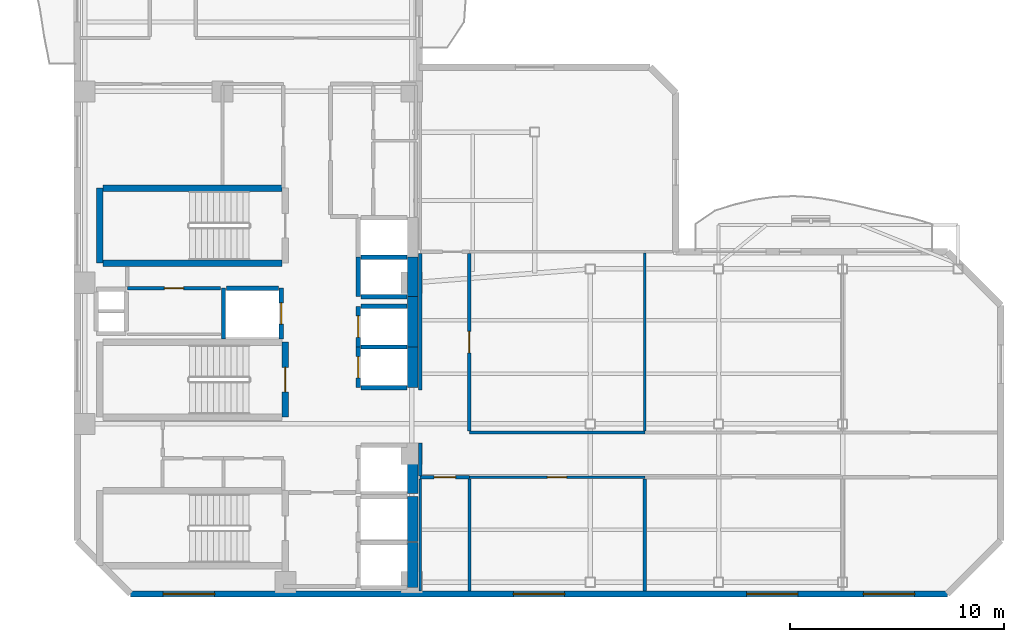
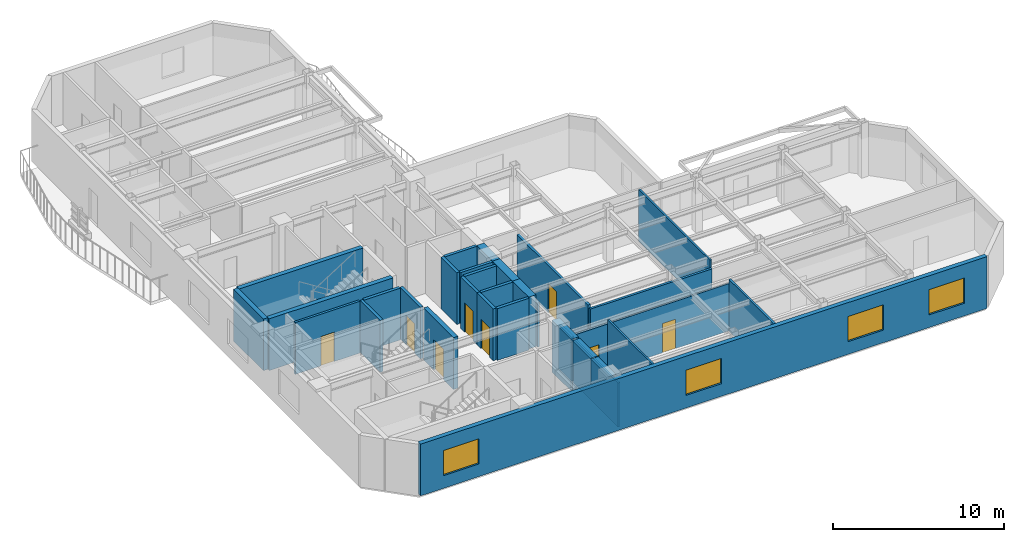
# One storey, part 3 of 9: 33 walls, 8 doors, 4 windows, 12 openings.
"""IFC4 building model written with IfcOpenShell, lengths in metres."""

from ifc_helpers import new_model, si_unit, direction, frame, frame_2d, origin, place, context, subcontext, project, spatial, rectangle, extrude, material, layer, layer_set, type_object, element, fill, save


model = new_model("IFC4")

# Units and contexts
model_context = context("Model", 3, precision=1e-05, world=origin(), true_north=direction((0.0, 1.0)))
body_context = subcontext(model_context, "Body", "Model", "MODEL_VIEW")
ifc_project = project(units=[si_unit("LENGTHUNIT", "METRE"), si_unit("AREAUNIT", "SQUARE_METRE"), si_unit("VOLUMEUNIT", "CUBIC_METRE"), si_unit("PLANEANGLEUNIT", "RADIAN"), si_unit("MASSUNIT", "GRAM", prefix="KILO")], contexts=[model_context])

# Site, building, storey
site_placement = place(None, origin())
site = spatial("IfcSite", under=ifc_project, at=site_placement, CompositionType="ELEMENT")
building_placement = place(site_placement, origin())
building = spatial("IfcBuilding", under=site, at=building_placement, Name="Mawjaban Terraces University", CompositionType="ELEMENT")
storey_placement = place(building_placement, frame((0.0, 0.0, 179.699951171875)))
storey = spatial("IfcBuildingStorey", under=building, at=storey_placement, Name="L43", CompositionType="ELEMENT", Elevation=179.699951171875)

# Walls
ifc_material_1 = material(Name="Concrete C60/75", Category="concrete")
ifc_layer_1 = layer(ifc_material_1, 0.5)
ifc_layer_set_1 = layer_set([ifc_layer_1], Name="Concrete C60/75")
wall_type_1 = type_object("IfcWallType", Name="CoreShearWall_500", PredefinedType="SHEAR", material=ifc_layer_set_1)
wall_1_placement = place(storey_placement, frame((37.699951171875, 0.300048828125, 0.0), z_axis=(0.0, 0.0, 1.0), x_axis=(0.0, 1.0, 0.0)))
element("IfcWall", 1, at=wall_1_placement, inside=storey, type_object=wall_type_1, Name="L43 Lift FL-1 Hoistway Wall East", PredefinedType="SHEAR", context=body_context, shape_type="SweptSolid", body=[
    extrude(rectangle(XDim=2.099853515625, YDim=0.5, at=frame_2d((1.0498046875, 0.0))), origin(), (0.0, 0.0, 1.0), 3.68994140625),
])
wall_2_placement = place(storey_placement, frame((37.699951171875, 2.449951171875, 0.0), z_axis=(0.0, 0.0, 1.0), x_axis=(0.0, 1.0, 0.0)))
element("IfcWall", 2, at=wall_2_placement, inside=storey, type_object=wall_type_1, Name="L43 Lift FL-2 Hoistway Wall East", PredefinedType="SHEAR", context=body_context, shape_type="SweptSolid", body=[
    extrude(rectangle(XDim=2.10009765625, YDim=0.5, at=frame_2d((1.050048828125, 0.0))), origin(), (0.0, 0.0, 1.0), 3.68994140625),
])
wall_3_placement = place(storey_placement, frame((37.699951171875, 4.699951171875, 0.0), z_axis=(0.0, 0.0, 1.0), x_axis=(0.0, 1.0, 0.0)))
element("IfcWall", 3, at=wall_3_placement, inside=storey, type_object=wall_type_1, Name="L43 Lift SL-1 Hoistway Wall East", PredefinedType="SHEAR", context=body_context, shape_type="SweptSolid", body=[
    extrude(rectangle(XDim=2.25, YDim=0.5, at=frame_2d((1.125, 0.0))), origin(), (0.0, 0.0, 1.0), 3.68994140625),
])
wall_4_placement = place(storey_placement, frame((37.699951171875, 9.64990234375, 0.0), z_axis=(0.0, 0.0, 1.0), x_axis=(0.0, 1.0, 0.0)))
element("IfcWall", 4, at=wall_4_placement, inside=storey, type_object=wall_type_1, Name="L43 Lift PL-H1 Hoistway Wall East", PredefinedType="SHEAR", context=body_context, shape_type="SweptSolid", body=[
    extrude(rectangle(XDim=1.900146484375, YDim=0.5, at=frame_2d((0.9501953125, 0.0))), origin(), (0.0, 0.0, 1.0), 3.68994140625),
])
wall_5_placement = place(storey_placement, frame((37.699951171875, 11.550048828125, 0.0), z_axis=(0.0, 0.0, 1.0), x_axis=(0.0, 1.0, 0.0)))
element("IfcWall", 5, at=wall_5_placement, inside=storey, type_object=wall_type_1, Name="L43 Lift PL-H2 Hoistway Wall East", PredefinedType="SHEAR", context=body_context, shape_type="SweptSolid", body=[
    extrude(rectangle(XDim=2.349853515625, YDim=0.5, at=frame_2d((1.1748046875, 0.0))), origin(), (0.0, 0.0, 1.0), 3.68994140625),
])
wall_6_placement = place(storey_placement, frame((37.699951171875, 13.89990234375, 0.0), z_axis=(0.0, 0.0, 1.0), x_axis=(0.0, 1.0, 0.0)))
element("IfcWall", 6, at=wall_6_placement, inside=storey, type_object=wall_type_1, Name="L43 Lift OL-1 Hoistway Wall East", PredefinedType="SHEAR", context=body_context, shape_type="SweptSolid", body=[
    extrude(rectangle(XDim=1.85009765625, YDim=0.5, at=frame_2d((0.925048828125, 0.0))), origin(), (0.0, 0.0, 1.0), 3.68994140625),
])

# Wall, opening, door
ifc_material_2 = material(Name="Fire-rated gypsum board on steel stud", Category="steel")
ifc_layer_2 = layer(ifc_material_2, 0.159912109375)
ifc_layer_set_2 = layer_set([ifc_layer_2], Name="Fire-rated gypsum board on steel stud")
wall_type_2 = type_object("IfcWallType", Name="CorridorPartition_160", PredefinedType="PARTITIONING", material=ifc_layer_set_2)
wall_7_placement = place(storey_placement, frame((24.35009765625, 14.300048828125, 0.0), z_axis=(0.0, 0.0, 1.0), x_axis=(1.0, 0.0, 0.0)))
wall_7 = element("IfcWall", 7, at=wall_7_placement, inside=storey, type_object=wall_type_2, Name="L43 Core Riser Access Passage Partition 2", PredefinedType="PARTITIONING", context=body_context, shape_type="SweptSolid", body=[
    extrude(rectangle(XDim=4.369873046875, YDim=0.159912109375, at=frame_2d((2.18505859375, 0.0))), origin(), (0.0, 0.0, 1.0), 3.68994140625),
])
opening_1_placement = place(wall_7_placement, frame((1.735107421875, 0.0, 0.0)))
opening_1 = element("IfcOpeningElement", 8, at=opening_1_placement, cuts=wall_7, Name="Opening ID-090", PredefinedType="OPENING", context=body_context, shape_type="SweptSolid", body=[
    extrude(rectangle(XDim=0.89990234375, YDim=2.10009765625, at=frame_2d((0.449951171875, 1.050048828125))), frame((0.0, 0.08984375, 0.0), z_axis=(0.0, -1.0, 0.0), x_axis=(1.0, 0.0, 0.0)), (0.0, 0.0, 1.0), 0.179931640625),
])
ifc_material_3 = material(Name="Powder-coated steel frame and solid acoustic timber leaf", Category="steel")
door_type_1 = type_object("IfcDoorType", Name="OfficeDoor_900x2100", OperationType="NOTDEFINED", PredefinedType="DOOR", material=ifc_material_3)
door_1_placement = place(opening_1_placement, origin())
door_1 = element("IfcDoor", 9, at=door_1_placement, inside=storey, type_object=door_type_1, Name="L43 Cleaner Store Door", OperationType="SINGLE_SWING_LEFT", OverallHeight=2.10009765625, OverallWidth=0.89990234375, PredefinedType="DOOR", context=body_context, shape_type="SweptSolid", body=[
    extrude(rectangle(XDim=0.89990234375, YDim=2.10009765625, at=frame_2d((0.449951171875, 1.050048828125))), frame((0.0, 0.02490234375, 0.0), z_axis=(0.0, -1.0, 0.0), x_axis=(1.0, 0.0, 0.0)), (0.0, 0.0, 1.0), 0.050048828125),
])
fill(opening_1, door_1)

wall_8_placement = place(storey_placement, frame((38.050048828125, 5.449951171875, 0.0), z_axis=(0.0, 0.0, 1.0), x_axis=(1.0, 0.0, 0.0)))
wall_8 = element("IfcWall", 10, at=wall_8_placement, inside=storey, type_object=wall_type_2, Name="L43 South Spine Spur Link Partition 19", PredefinedType="PARTITIONING", context=body_context, shape_type="SweptSolid", body=[
    extrude(rectangle(XDim=2.300048828125, YDim=0.159912109375, at=frame_2d((1.14990234375, 0.0))), origin(), (0.0, 0.0, 1.0), 3.3720703125),
])
opening_2_placement = place(wall_8_placement, frame((0.64990234375, 0.0, 0.0)))
opening_2 = element("IfcOpeningElement", 11, at=opening_2_placement, cuts=wall_8, Name="Opening ID-100", PredefinedType="OPENING", context=body_context, shape_type="SweptSolid", body=[
    extrude(rectangle(XDim=1.0, YDim=2.10009765625, at=frame_2d((0.5, 1.050048828125))), frame((0.0, 0.08984375, 0.0), z_axis=(0.0, -1.0, 0.0), x_axis=(1.0, 0.0, 0.0)), (0.0, 0.0, 1.0), 0.179931640625),
])
door_type_2 = type_object("IfcDoorType", Name="ClassroomDoor_1000x2100", OperationType="NOTDEFINED", PredefinedType="DOOR", material=ifc_material_3)
door_2_placement = place(opening_2_placement, origin())
door_2 = element("IfcDoor", 12, at=door_2_placement, inside=storey, type_object=door_type_2, Name="L43 Classroom 1 Door", OperationType="SINGLE_SWING_LEFT", OverallHeight=2.10009765625, OverallWidth=1.0, PredefinedType="DOOR", context=body_context, shape_type="SweptSolid", body=[
    extrude(rectangle(XDim=1.0, YDim=2.10009765625, at=frame_2d((0.5, 1.050048828125))), frame((0.0, 0.02490234375, 0.0), z_axis=(0.0, -1.0, 0.0), x_axis=(1.0, 0.0, 0.0)), (0.0, 0.0, 1.0), 0.050048828125),
])
fill(opening_2, door_2)

# Walls
wall_9_placement = place(storey_placement, frame((48.550048828125, 7.550048828125, 0.0), z_axis=(0.0, 0.0, 1.0), x_axis=(-1.0, 0.0, 0.0)))
element("IfcWall", 13, at=wall_9_placement, inside=storey, type_object=wall_type_2, Name="L43 South Shifted Academic Corridor Partition 23", PredefinedType="PARTITIONING", context=body_context, shape_type="SweptSolid", body=[
    extrude(rectangle(XDim=8.199951171875, YDim=0.159912109375, at=frame_2d((4.10009765625, 0.0))), origin(), (0.0, 0.0, 1.0), 3.14599609375),
])
wall_10_placement = place(storey_placement, frame((38.050048828125, 7.050048828125, 0.0), z_axis=(0.0, 0.0, 1.0), x_axis=(0.0, -1.0, 0.0)))
element("IfcWall", 14, at=wall_10_placement, inside=storey, type_object=wall_type_2, Name="L43 South Spine Spur Link Partition 48", PredefinedType="PARTITIONING", context=body_context, shape_type="SweptSolid", body=[
    extrude(rectangle(XDim=1.525146484375, YDim=0.159912109375, at=frame_2d((0.7626953125, 0.0))), origin(), (0.0, 0.0, 1.0), 3.14599609375),
])
wall_11_placement = place(storey_placement, frame((38.050048828125, 15.925048828125, 0.0), z_axis=(0.0, 0.0, 1.0), x_axis=(0.0, -1.0, 0.0)))
element("IfcWall", 15, at=wall_11_placement, inside=storey, type_object=wall_type_2, Name="L43 South Spine Spur Link Partition 49", PredefinedType="PARTITIONING", context=body_context, shape_type="SweptSolid", body=[
    extrude(rectangle(XDim=6.375, YDim=0.159912109375, at=frame_2d((3.1875, 0.0))), origin(), (0.0, 0.0, 1.0), 3.14599609375),
])

# Wall, opening, door
wall_12_placement = place(storey_placement, frame((40.35009765625, 7.625, 0.0), z_axis=(0.0, 0.0, 1.0), x_axis=(0.0, 1.0, 0.0)))
wall_12 = element("IfcWall", 16, at=wall_12_placement, inside=storey, type_object=wall_type_2, Name="L43 South Spine Spur Link Partition 52", PredefinedType="PARTITIONING", context=body_context, shape_type="SweptSolid", body=[
    extrude(rectangle(XDim=8.300048828125, YDim=0.159912109375, at=frame_2d((4.14990234375, 0.0))), origin(), (0.0, 0.0, 1.0), 3.3720703125),
])
opening_3_placement = place(wall_12_placement, frame((3.64990234375, 0.0, 0.0)))
opening_3 = element("IfcOpeningElement", 17, at=opening_3_placement, cuts=wall_12, Name="Opening ID-100", PredefinedType="OPENING", context=body_context, shape_type="SweptSolid", body=[
    extrude(rectangle(XDim=1.0, YDim=2.10009765625, at=frame_2d((0.5, 1.050048828125))), frame((0.0, 0.08984375, 0.0), z_axis=(0.0, -1.0, 0.0), x_axis=(1.0, 0.0, 0.0)), (0.0, 0.0, 1.0), 0.179931640625),
])
door_3_placement = place(opening_3_placement, origin())
door_3 = element("IfcDoor", 18, at=door_3_placement, inside=storey, type_object=door_type_2, Name="L43 Classroom 3 Door", OperationType="SINGLE_SWING_LEFT", OverallHeight=2.10009765625, OverallWidth=1.0, PredefinedType="DOOR", context=body_context, shape_type="SweptSolid", body=[
    extrude(rectangle(XDim=1.0, YDim=2.10009765625, at=frame_2d((0.5, 1.050048828125))), frame((0.0, 0.02490234375, 0.0), z_axis=(0.0, -1.0, 0.0), x_axis=(1.0, 0.0, 0.0)), (0.0, 0.0, 1.0), 0.050048828125),
])
fill(opening_3, door_3)

# Wall, openings, windows
ifc_material_4 = material(Name="Insulated terracotta rainscreen on concrete backup C40/50", Category="masonry")
ifc_layer_3 = layer(ifc_material_4, 0.300048828125)
ifc_layer_set_3 = layer_set([ifc_layer_3], Name="Insulated terracotta rainscreen on concrete backup C40/50")
wall_type_3 = type_object("IfcWallType", Name="ExtTerracottaWall_300", PredefinedType="SOLIDWALL", material=ifc_layer_set_3)
wall_13_placement = place(storey_placement, frame((24.5, 0.0, 0.0), z_axis=(0.0, 0.0, 1.0), x_axis=(1.0, 0.0, 0.0)))
wall_13 = element("IfcWall", 19, at=wall_13_placement, inside=storey, type_object=wall_type_3, Name="L43 Exterior Terracotta Wall 1", PredefinedType="SOLIDWALL", context=body_context, shape_type="SweptSolid", body=[
    extrude(rectangle(XDim=38.199951171875, YDim=0.300048828125, at=frame_2d((19.10009765625, 0.0))), origin(), (0.0, 0.0, 1.0), 3.68994140625),
])
opening_4_placement = place(wall_13_placement, frame((1.529052734375, 0.0, 0.89990234375)))
opening_4 = element("IfcOpeningElement", 20, at=opening_4_placement, cuts=wall_13, Name="Opening W-08", PredefinedType="OPENING", context=body_context, shape_type="SweptSolid", body=[
    extrude(rectangle(XDim=2.39990234375, YDim=1.800048828125, at=frame_2d((1.199951171875, 0.89990234375))), frame((0.0, 0.159912109375, 0.0), z_axis=(0.0, -1.0, 0.0), x_axis=(1.0, 0.0, 0.0)), (0.0, 0.0, 1.0), 0.320068359375),
])
opening_5_placement = place(wall_13_placement, frame((17.89990234375, 0.0, 0.89990234375)))
opening_5 = element("IfcOpeningElement", 21, at=opening_5_placement, cuts=wall_13, Name="Opening W-08", PredefinedType="OPENING", context=body_context, shape_type="SweptSolid", body=[
    extrude(rectangle(XDim=2.39990234375, YDim=1.800048828125, at=frame_2d((1.199951171875, 0.89990234375))), frame((0.0, 0.159912109375, 0.0), z_axis=(0.0, -1.0, 0.0), x_axis=(1.0, 0.0, 0.0)), (0.0, 0.0, 1.0), 0.320068359375),
])
opening_6_placement = place(wall_13_placement, frame((28.81396484375, 0.0, 0.89990234375)))
opening_6 = element("IfcOpeningElement", 22, at=opening_6_placement, cuts=wall_13, Name="Opening W-08", PredefinedType="OPENING", context=body_context, shape_type="SweptSolid", body=[
    extrude(rectangle(XDim=2.39990234375, YDim=1.800048828125, at=frame_2d((1.199951171875, 0.89990234375))), frame((0.0, 0.159912109375, 0.0), z_axis=(0.0, -1.0, 0.0), x_axis=(1.0, 0.0, 0.0)), (0.0, 0.0, 1.0), 0.320068359375),
])
opening_7_placement = place(wall_13_placement, frame((34.27099609375, 0.0, 0.89990234375)))
opening_7 = element("IfcOpeningElement", 23, at=opening_7_placement, cuts=wall_13, Name="Opening W-08", PredefinedType="OPENING", context=body_context, shape_type="SweptSolid", body=[
    extrude(rectangle(XDim=2.39990234375, YDim=1.800048828125, at=frame_2d((1.199951171875, 0.89990234375))), frame((0.0, 0.159912109375, 0.0), z_axis=(0.0, -1.0, 0.0), x_axis=(1.0, 0.0, 0.0)), (0.0, 0.0, 1.0), 0.320068359375),
])
ifc_material_5 = material(Name="Low-E solar-control double glazing in thermally broken aluminium frame", Category="aluminium")
window_type = type_object("IfcWindowType", Name="Win_2400x1800", PartitioningType="SINGLE_PANEL", PredefinedType="WINDOW", material=ifc_material_5)
window_1_placement = place(opening_4_placement, origin())
window_1 = element("IfcWindow", 24, at=window_1_placement, inside=storey, type_object=window_type, Name="L43 Facade Window 1.1", OverallHeight=1.800048828125, OverallWidth=2.39990234375, PartitioningType="SINGLE_PANEL", PredefinedType="WINDOW", context=body_context, shape_type="SweptSolid", body=[
    extrude(rectangle(XDim=2.39990234375, YDim=1.800048828125, at=frame_2d((1.199951171875, 0.89990234375))), frame((0.0, 0.030029296875, 0.0), z_axis=(0.0, -1.0, 0.0), x_axis=(1.0, 0.0, 0.0)), (0.0, 0.0, 1.0), 0.06005859375),
])
fill(opening_4, window_1)
window_2_placement = place(opening_5_placement, origin())
window_2 = element("IfcWindow", 25, at=window_2_placement, inside=storey, type_object=window_type, Name="L43 Facade Window 1.4", OverallHeight=1.800048828125, OverallWidth=2.39990234375, PartitioningType="SINGLE_PANEL", PredefinedType="WINDOW", context=body_context, shape_type="SweptSolid", body=[
    extrude(rectangle(XDim=2.39990234375, YDim=1.800048828125, at=frame_2d((1.199951171875, 0.89990234375))), frame((0.0, 0.030029296875, 0.0), z_axis=(0.0, -1.0, 0.0), x_axis=(1.0, 0.0, 0.0)), (0.0, 0.0, 1.0), 0.06005859375),
])
fill(opening_5, window_2)
window_3_placement = place(opening_6_placement, origin())
window_3 = element("IfcWindow", 26, at=window_3_placement, inside=storey, type_object=window_type, Name="L43 Facade Window 1.6", OverallHeight=1.800048828125, OverallWidth=2.39990234375, PartitioningType="SINGLE_PANEL", PredefinedType="WINDOW", context=body_context, shape_type="SweptSolid", body=[
    extrude(rectangle(XDim=2.39990234375, YDim=1.800048828125, at=frame_2d((1.199951171875, 0.89990234375))), frame((0.0, 0.030029296875, 0.0), z_axis=(0.0, -1.0, 0.0), x_axis=(1.0, 0.0, 0.0)), (0.0, 0.0, 1.0), 0.06005859375),
])
fill(opening_6, window_3)
window_4_placement = place(opening_7_placement, origin())
window_4 = element("IfcWindow", 27, at=window_4_placement, inside=storey, type_object=window_type, Name="L43 Facade Window 1.7", OverallHeight=1.800048828125, OverallWidth=2.39990234375, PartitioningType="SINGLE_PANEL", PredefinedType="WINDOW", context=body_context, shape_type="SweptSolid", body=[
    extrude(rectangle(XDim=2.39990234375, YDim=1.800048828125, at=frame_2d((1.199951171875, 0.89990234375))), frame((0.0, 0.030029296875, 0.0), z_axis=(0.0, -1.0, 0.0), x_axis=(1.0, 0.0, 0.0)), (0.0, 0.0, 1.0), 0.06005859375),
])
fill(opening_7, window_4)

# Wall, opening, door
ifc_material_6 = material(Name="Concrete C40/50", Category="concrete")
ifc_layer_4 = layer(ifc_material_6, 0.199951171875)
ifc_layer_set_4 = layer_set([ifc_layer_4], Name="Concrete C40/50")
wall_type_4 = type_object("IfcWallType", Name="FireLobbyWall_200", PredefinedType="SOLIDWALL", material=ifc_layer_set_4)
wall_14_placement = place(storey_placement, frame((35.14990234375, 11.550048828125, 0.0), z_axis=(0.0, 0.0, 1.0), x_axis=(0.0, -1.0, 0.0)))
wall_14 = element("IfcWall", 28, at=wall_14_placement, inside=storey, type_object=wall_type_4, Name="L43 Lift PL-H1 Hoistway Wall West", PredefinedType="SOLIDWALL", context=body_context, shape_type="SweptSolid", body=[
    extrude(rectangle(XDim=1.900146484375, YDim=0.199951171875, at=frame_2d((0.9501953125, 0.0))), origin(), (0.0, 0.0, 1.0), 3.68994140625),
])
opening_8_placement = place(wall_14_placement, frame((0.449951171875, 0.0, 0.0)))
opening_8 = element("IfcOpeningElement", 29, at=opening_8_placement, cuts=wall_14, Name="Opening LD-PL-H1", PredefinedType="OPENING", context=body_context, shape_type="SweptSolid", body=[
    extrude(rectangle(XDim=1.0, YDim=2.10009765625, at=frame_2d((0.5, 1.050048828125))), frame((0.0, 0.10986328125, 0.0), z_axis=(0.0, -1.0, 0.0), x_axis=(1.0, 0.0, 0.0)), (0.0, 0.0, 1.0), 0.219970703125),
])
ifc_material_7 = material(Name="Powder-coated steel frame and fire-rated steel-faced leaf", Category="steel")
door_type_3 = type_object("IfcDoorType", Name="LiftLandingSliding_1000x2100", OperationType="NOTDEFINED", PredefinedType="DOOR", material=ifc_material_7)
door_4_placement = place(opening_8_placement, origin())
door_4 = element("IfcDoor", 30, at=door_4_placement, inside=storey, type_object=door_type_3, Name="L43 Lift PL-H1 Sliding Landing Door", OperationType="DOUBLE_DOOR_SLIDING", OverallHeight=2.10009765625, OverallWidth=1.0, PredefinedType="DOOR", context=body_context, shape_type="SweptSolid", body=[
    extrude(rectangle(XDim=1.0, YDim=2.10009765625, at=frame_2d((0.5, 1.050048828125))), frame((0.0, 0.02490234375, 0.0), z_axis=(0.0, -1.0, 0.0), x_axis=(1.0, 0.0, 0.0)), (0.0, 0.0, 1.0), 0.050048828125),
])
fill(opening_8, door_4)

# Walls
for number, where, z_axis, x_axis, name in (
    (31, (35.280029296875, 9.64990234375, 0.0), (0.0, 0.0, 1.0), (1.0, 0.0, 0.0), "L43 Lift PL-H1 Hoistway Wall South"),
    (32, (37.419921875, 11.550048828125, 0.0), (0.0, 0.0, 1.0), (-1.0, 0.0, 0.0), "L43 Lift PL-H1 Hoistway Wall North"),
):
    element("IfcWall", number, at=place(storey_placement, frame(where, z_axis=z_axis, x_axis=x_axis)), inside=storey, type_object=wall_type_4, Name=name, PredefinedType="SOLIDWALL", context=body_context, shape_type="SweptSolid", body=[
        extrude(rectangle(XDim=2.139892578125, YDim=0.199951171875, at=frame_2d((1.06982421875, 0.0))), origin(), (0.0, 0.0, 1.0), 3.68994140625),
    ])

# Wall, opening, door
wall_15_placement = place(storey_placement, frame((35.14990234375, 13.449951171875, 0.0), z_axis=(0.0, 0.0, 1.0), x_axis=(0.0, -1.0, 0.0)))
wall_15 = element("IfcWall", 33, at=wall_15_placement, inside=storey, type_object=wall_type_4, Name="L43 Lift PL-H2 Hoistway Wall West", PredefinedType="SOLIDWALL", context=body_context, shape_type="SweptSolid", body=[
    extrude(rectangle(XDim=1.89990234375, YDim=0.199951171875, at=frame_2d((0.949951171875, 0.0))), origin(), (0.0, 0.0, 1.0), 3.68994140625),
])
opening_9_placement = place(wall_15_placement, frame((0.449951171875, 0.0, 0.0)))
opening_9 = element("IfcOpeningElement", 34, at=opening_9_placement, cuts=wall_15, Name="Opening LD-PL-H2", PredefinedType="OPENING", context=body_context, shape_type="SweptSolid", body=[
    extrude(rectangle(XDim=1.0, YDim=2.10009765625, at=frame_2d((0.5, 1.050048828125))), frame((0.0, 0.10986328125, 0.0), z_axis=(0.0, -1.0, 0.0), x_axis=(1.0, 0.0, 0.0)), (0.0, 0.0, 1.0), 0.219970703125),
])
door_5_placement = place(opening_9_placement, origin())
door_5 = element("IfcDoor", 35, at=door_5_placement, inside=storey, type_object=door_type_3, Name="L43 Lift PL-H2 Sliding Landing Door", OperationType="DOUBLE_DOOR_SLIDING", OverallHeight=2.10009765625, OverallWidth=1.0, PredefinedType="DOOR", context=body_context, shape_type="SweptSolid", body=[
    extrude(rectangle(XDim=1.0, YDim=2.10009765625, at=frame_2d((0.5, 1.050048828125))), frame((0.0, 0.02490234375, 0.0), z_axis=(0.0, -1.0, 0.0), x_axis=(1.0, 0.0, 0.0)), (0.0, 0.0, 1.0), 0.050048828125),
])
fill(opening_9, door_5)

# Walls
wall_16_placement = place(storey_placement, frame((37.419921875, 13.449951171875, 0.0), z_axis=(0.0, 0.0, 1.0), x_axis=(-1.0, 0.0, 0.0)))
element("IfcWall", 36, at=wall_16_placement, inside=storey, type_object=wall_type_4, Name="L43 Lift PL-H2 Hoistway Wall North", PredefinedType="SOLIDWALL", context=body_context, shape_type="SweptSolid", body=[
    extrude(rectangle(XDim=2.139892578125, YDim=0.199951171875, at=frame_2d((1.06982421875, 0.0))), origin(), (0.0, 0.0, 1.0), 3.68994140625),
])
wall_17_placement = place(storey_placement, frame((28.85009765625, 14.300048828125, 0.0), z_axis=(0.0, 0.0, 1.0), x_axis=(0.0, -1.0, 0.0)))
element("IfcWall", 37, at=wall_17_placement, inside=storey, type_object=wall_type_4, Name="L43 Lift PL-H3 Hoistway Wall West", PredefinedType="SOLIDWALL", context=body_context, shape_type="SweptSolid", body=[
    extrude(rectangle(XDim=2.3701171875, YDim=0.199951171875, at=frame_2d((1.18505859375, 0.0))), origin(), (0.0, 0.0, 1.0), 3.68994140625),
])

# Wall, opening, door
wall_18_placement = place(storey_placement, frame((31.550048828125, 11.929931640625, 0.0), z_axis=(0.0, 0.0, 1.0), x_axis=(0.0, 1.0, 0.0)))
wall_18 = element("IfcWall", 38, at=wall_18_placement, inside=storey, type_object=wall_type_4, Name="L43 Lift PL-H3 Hoistway Wall East", PredefinedType="SOLIDWALL", context=body_context, shape_type="SweptSolid", body=[
    extrude(rectangle(XDim=2.3701171875, YDim=0.199951171875, at=frame_2d((1.18505859375, 0.0))), origin(), (0.0, 0.0, 1.0), 3.68994140625),
])
opening_10_placement = place(wall_18_placement, frame((0.68505859375, 0.0, 0.0)))
opening_10 = element("IfcOpeningElement", 39, at=opening_10_placement, cuts=wall_18, Name="Opening LD-PL-H3", PredefinedType="OPENING", context=body_context, shape_type="SweptSolid", body=[
    extrude(rectangle(XDim=1.0, YDim=2.10009765625, at=frame_2d((0.5, 1.050048828125))), frame((0.0, 0.10986328125, 0.0), z_axis=(0.0, -1.0, 0.0), x_axis=(1.0, 0.0, 0.0)), (0.0, 0.0, 1.0), 0.219970703125),
])
door_6_placement = place(opening_10_placement, origin())
door_6 = element("IfcDoor", 40, at=door_6_placement, inside=storey, type_object=door_type_3, Name="L43 Lift PL-H3 Sliding Landing Door", OperationType="DOUBLE_DOOR_SLIDING", OverallHeight=2.10009765625, OverallWidth=1.0, PredefinedType="DOOR", context=body_context, shape_type="SweptSolid", body=[
    extrude(rectangle(XDim=1.0, YDim=2.10009765625, at=frame_2d((0.5, 1.050048828125))), frame((0.0, 0.02490234375, 0.0), z_axis=(0.0, -1.0, 0.0), x_axis=(1.0, 0.0, 0.0)), (0.0, 0.0, 1.0), 0.050048828125),
])
fill(opening_10, door_6)

# Walls
wall_19_placement = place(storey_placement, frame((31.419921875, 14.300048828125, 0.0), z_axis=(0.0, 0.0, 1.0), x_axis=(-1.0, 0.0, 0.0)))
element("IfcWall", 41, at=wall_19_placement, inside=storey, type_object=wall_type_4, Name="L43 Lift PL-H3 Hoistway Wall North", PredefinedType="SOLIDWALL", context=body_context, shape_type="SweptSolid", body=[
    extrude(rectangle(XDim=2.43994140625, YDim=0.199951171875, at=frame_2d((1.219970703125, 0.0))), origin(), (0.0, 0.0, 1.0), 3.68994140625),
])
wall_20_placement = place(storey_placement, frame((35.14990234375, 15.75, 0.0), z_axis=(0.0, 0.0, 1.0), x_axis=(0.0, -1.0, 0.0)))
element("IfcWall", 42, at=wall_20_placement, inside=storey, type_object=wall_type_4, Name="L43 Lift OL-1 Hoistway Wall West", PredefinedType="SOLIDWALL", context=body_context, shape_type="SweptSolid", body=[
    extrude(rectangle(XDim=1.85009765625, YDim=0.199951171875, at=frame_2d((0.925048828125, 0.0))), origin(), (0.0, 0.0, 1.0), 3.68994140625),
])
for number, where, z_axis, x_axis, name in (
    (43, (35.280029296875, 13.89990234375, 0.0), (0.0, 0.0, 1.0), (1.0, 0.0, 0.0), "L43 Lift OL-1 Hoistway Wall South"),
    (44, (37.419921875, 15.75, 0.0), (0.0, 0.0, 1.0), (-1.0, 0.0, 0.0), "L43 Lift OL-1 Hoistway Wall North"),
):
    element("IfcWall", number, at=place(storey_placement, frame(where, z_axis=z_axis, x_axis=x_axis)), inside=storey, type_object=wall_type_4, Name=name, PredefinedType="SOLIDWALL", context=body_context, shape_type="SweptSolid", body=[
        extrude(rectangle(XDim=2.139892578125, YDim=0.199951171875, at=frame_2d((1.06982421875, 0.0))), origin(), (0.0, 0.0, 1.0), 3.68994140625),
    ])
ifc_material_8 = material(Name="Moisture-resistant gypsum board on steel stud", Category="steel")
ifc_layer_5 = layer(ifc_material_8, 0.14501953125)
ifc_layer_set_5 = layer_set([ifc_layer_5], Name="Moisture-resistant gypsum board on steel stud")
wall_type_5 = type_object("IfcWallType", Name="LabPartition_145", PredefinedType="PARTITIONING", material=ifc_layer_set_5)
wall_21_placement = place(storey_placement, frame((48.550048828125, 0.14501953125, 0.0), z_axis=(0.0, 0.0, 1.0), x_axis=(0.0, 1.0, 0.0)))
element("IfcWall", 45, at=wall_21_placement, inside=storey, type_object=wall_type_5, Name="L43 Seminar Room 2 Partition 53", PredefinedType="PARTITIONING", context=body_context, shape_type="SweptSolid", body=[
    extrude(rectangle(XDim=5.238037109375, YDim=0.14501953125, at=frame_2d((2.619140625, 0.0))), origin(), (0.0, 0.0, 1.0), 3.68994140625),
])
ifc_material_9 = material(Name="Gypsum plasterboard on steel stud", Category="steel")
ifc_layer_6 = layer(ifc_material_9, 0.125)
ifc_layer_set_6 = layer_set([ifc_layer_6], Name="Gypsum plasterboard on steel stud")
wall_type_6 = type_object("IfcWallType", Name="OfficePartition_125", PredefinedType="PARTITIONING", material=ifc_layer_set_6)
wall_22_placement = place(storey_placement, frame((38.050048828125, 5.375, 0.0), z_axis=(0.0, 0.0, 1.0), x_axis=(0.0, -1.0, 0.0)))
element("IfcWall", 46, at=wall_22_placement, inside=storey, type_object=wall_type_6, Name="L43 Classroom 1 Partition 47", PredefinedType="PARTITIONING", context=body_context, shape_type="SweptSolid", body=[
    extrude(rectangle(XDim=5.22998046875, YDim=0.125, at=frame_2d((2.614990234375, 0.0))), origin(), (0.0, 0.0, 1.0), 3.14599609375),
])
wall_23_placement = place(storey_placement, frame((40.35009765625, 0.14501953125, 0.0), z_axis=(0.0, 0.0, 1.0), x_axis=(0.0, 1.0, 0.0)))
element("IfcWall", 47, at=wall_23_placement, inside=storey, type_object=wall_type_6, Name="L43 Classroom 1 Partition 51", PredefinedType="PARTITIONING", context=body_context, shape_type="SweptSolid", body=[
    extrude(rectangle(XDim=5.22998046875, YDim=0.125, at=frame_2d((2.614990234375, 0.0))), origin(), (0.0, 0.0, 1.0), 3.68994140625),
])
wall_24_placement = place(storey_placement, frame((48.550048828125, 7.625, 0.0), z_axis=(0.0, 0.0, 1.0), x_axis=(0.0, 1.0, 0.0)))
element("IfcWall", 48, at=wall_24_placement, inside=storey, type_object=wall_type_6, Name="L43 Classroom 3 Partition 54", PredefinedType="PARTITIONING", context=body_context, shape_type="SweptSolid", body=[
    extrude(rectangle(XDim=8.318115234375, YDim=0.125, at=frame_2d((4.1591796875, 0.0))), origin(), (0.0, 0.0, 1.0), 3.68994140625),
])

# Wall, opening, door
ifc_material_10 = material(Name="Acoustic operable panel partition", Category="masonry")
ifc_layer_7 = layer(ifc_material_10, 0.110107421875)
ifc_layer_set_7 = layer_set([ifc_layer_7], Name="Acoustic operable panel partition")
wall_type_7 = type_object("IfcWallType", Name="OperableSeminarWall_110", PredefinedType="MOVABLE", material=ifc_layer_set_7)
wall_25_placement = place(storey_placement, frame((40.35009765625, 5.449951171875, 0.0), z_axis=(0.0, 0.0, 1.0), x_axis=(1.0, 0.0, 0.0)))
wall_25 = element("IfcWall", 49, at=wall_25_placement, inside=storey, type_object=wall_type_7, Name="L43 South Shifted Academic Corridor Partition 20", PredefinedType="MOVABLE", context=body_context, shape_type="SweptSolid", body=[
    extrude(rectangle(XDim=8.199951171875, YDim=0.110107421875, at=frame_2d((4.10009765625, 0.0))), origin(), (0.0, 0.0, 1.0), 3.3720703125),
])
opening_11_placement = place(wall_25_placement, frame((3.64990234375, 0.0, 0.0)))
opening_11 = element("IfcOpeningElement", 50, at=opening_11_placement, cuts=wall_25, Name="Opening ID-090", PredefinedType="OPENING", context=body_context, shape_type="SweptSolid", body=[
    extrude(rectangle(XDim=0.89990234375, YDim=2.10009765625, at=frame_2d((0.449951171875, 1.050048828125))), frame((0.0, 0.06494140625, 0.0), z_axis=(0.0, -1.0, 0.0), x_axis=(1.0, 0.0, 0.0)), (0.0, 0.0, 1.0), 0.130126953125),
])
door_7_placement = place(opening_11_placement, origin())
door_7 = element("IfcDoor", 51, at=door_7_placement, inside=storey, type_object=door_type_1, Name="L43 Seminar Room 2 Door", OperationType="SINGLE_SWING_RIGHT", OverallHeight=2.10009765625, OverallWidth=0.89990234375, PredefinedType="DOOR", context=body_context, shape_type="SweptSolid", body=[
    extrude(rectangle(XDim=0.89990234375, YDim=2.10009765625, at=frame_2d((0.449951171875, 1.050048828125))), frame((0.0, 0.02490234375, 0.0), z_axis=(0.0, -1.0, 0.0), x_axis=(1.0, 0.0, 0.0)), (0.0, 0.0, 1.0), 0.050048828125),
])
fill(opening_11, door_7)

# Walls
ifc_layer_8 = layer(ifc_material_1, 0.300048828125)
ifc_layer_set_8 = layer_set([ifc_layer_8], Name="Concrete C60/75")
wall_type_8 = type_object("IfcWallType", Name="StairShaftWall_300", PredefinedType="SHEAR", material=ifc_layer_set_8)
wall_26_placement = place(storey_placement, frame((31.580078125, 18.97998046875, 0.0), z_axis=(0.0, 0.0, 1.0), x_axis=(-1.0, 0.0, 0.0)))
element("IfcWall", 52, at=wall_26_placement, inside=storey, type_object=wall_type_8, Name="L43 ST-2 Stair Shaft Wall 1", PredefinedType="SHEAR", context=body_context, shape_type="SweptSolid", body=[
    extrude(rectangle(XDim=8.360107421875, YDim=0.300048828125, at=frame_2d((4.18017578125, 0.0))), origin(), (0.0, 0.0, 1.0), 3.68994140625),
])
wall_27_placement = place(storey_placement, frame((23.070068359375, 18.97998046875, 0.0), z_axis=(0.0, 0.0, 1.0), x_axis=(0.0, -1.0, 0.0)))
element("IfcWall", 53, at=wall_27_placement, inside=storey, type_object=wall_type_8, Name="L43 ST-2 Stair Shaft Wall 2", PredefinedType="SHEAR", context=body_context, shape_type="SweptSolid", body=[
    extrude(rectangle(XDim=3.510009765625, YDim=0.300048828125, at=frame_2d((1.7548828125, 0.0))), origin(), (0.0, 0.0, 1.0), 3.68994140625),
])
wall_28_placement = place(storey_placement, frame((23.219970703125, 15.469970703125, 0.0), z_axis=(0.0, 0.0, 1.0), x_axis=(1.0, 0.0, 0.0)))
element("IfcWall", 54, at=wall_28_placement, inside=storey, type_object=wall_type_8, Name="L43 ST-2 Stair Shaft Wall 3", PredefinedType="SHEAR", context=body_context, shape_type="SweptSolid", body=[
    extrude(rectangle(XDim=8.360107421875, YDim=0.300048828125, at=frame_2d((4.18017578125, 0.0))), origin(), (0.0, 0.0, 1.0), 3.68994140625),
])

# Wall, opening, door
wall_29_placement = place(storey_placement, frame((31.72998046875, 8.27001953125, 0.0), z_axis=(0.0, 0.0, 1.0), x_axis=(0.0, 1.0, 0.0)))
wall_29 = element("IfcWall", 55, at=wall_29_placement, inside=storey, type_object=wall_type_8, Name="L43 ST-3 Stair Shaft Wall 4", PredefinedType="SHEAR", context=body_context, shape_type="SweptSolid", body=[
    extrude(rectangle(XDim=3.510009765625, YDim=0.300048828125, at=frame_2d((1.7548828125, 0.0))), origin(), (0.0, 0.0, 1.0), 3.68994140625),
])
opening_12_placement = place(wall_29_placement, frame((1.179931640625, 0.0, 0.0)))
opening_12 = element("IfcOpeningElement", 56, at=opening_12_placement, cuts=wall_29, Name="Opening FD-115", PredefinedType="OPENING", context=body_context, shape_type="SweptSolid", body=[
    extrude(rectangle(XDim=1.14990234375, YDim=2.14990234375, at=frame_2d((0.574951171875, 1.074951171875))), frame((0.0, 0.159912109375, 0.0), z_axis=(0.0, -1.0, 0.0), x_axis=(1.0, 0.0, 0.0)), (0.0, 0.0, 1.0), 0.320068359375),
])
door_type_4 = type_object("IfcDoorType", Name="FireStairDoor_1150x2150", OperationType="NOTDEFINED", PredefinedType="DOOR", material=ifc_material_7)
door_8_placement = place(opening_12_placement, origin())
door_8 = element("IfcDoor", 57, at=door_8_placement, inside=storey, type_object=door_type_4, Name="L43 ST-3 Pressurised Stair Fire Door", OperationType="SINGLE_SWING_RIGHT", OverallHeight=2.14990234375, OverallWidth=1.14990234375, PredefinedType="DOOR", context=body_context, shape_type="SweptSolid", body=[
    extrude(rectangle(XDim=1.14990234375, YDim=2.14990234375, at=frame_2d((0.574951171875, 1.074951171875))), frame((0.0, 0.02490234375, 0.0), z_axis=(0.0, -1.0, 0.0), x_axis=(1.0, 0.0, 0.0)), (0.0, 0.0, 1.0), 0.050048828125),
])
fill(opening_12, door_8)

save(model, "model.ifc")
